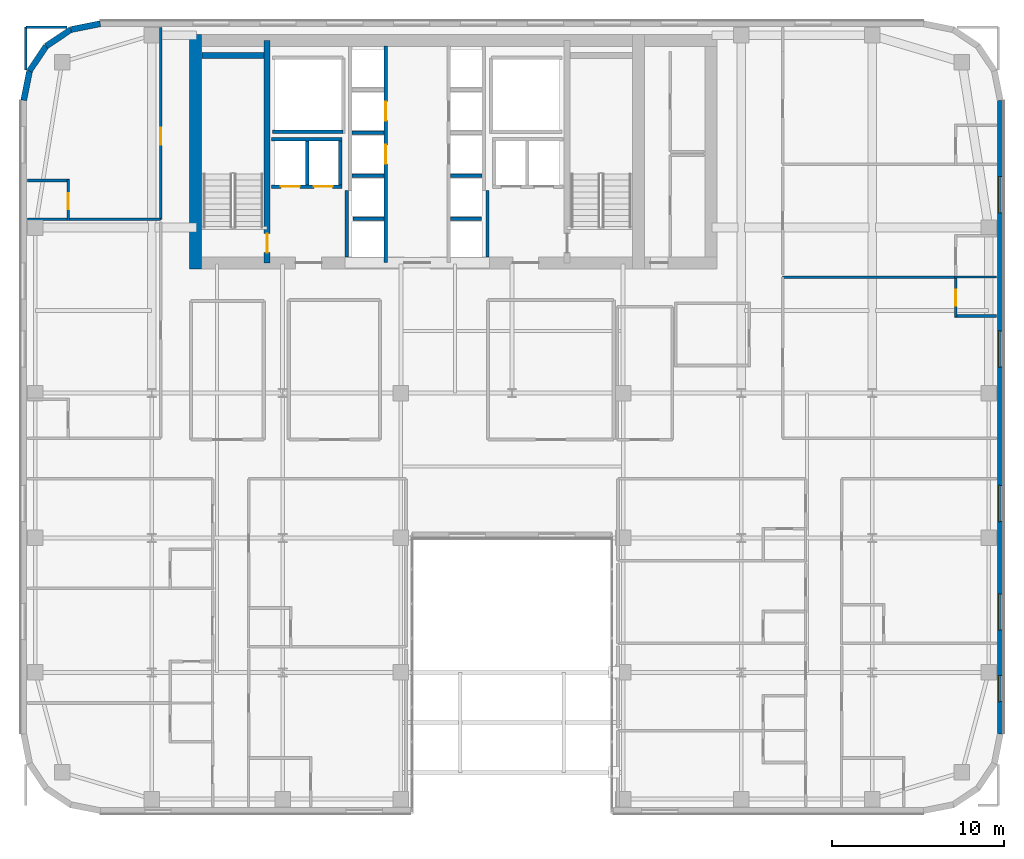
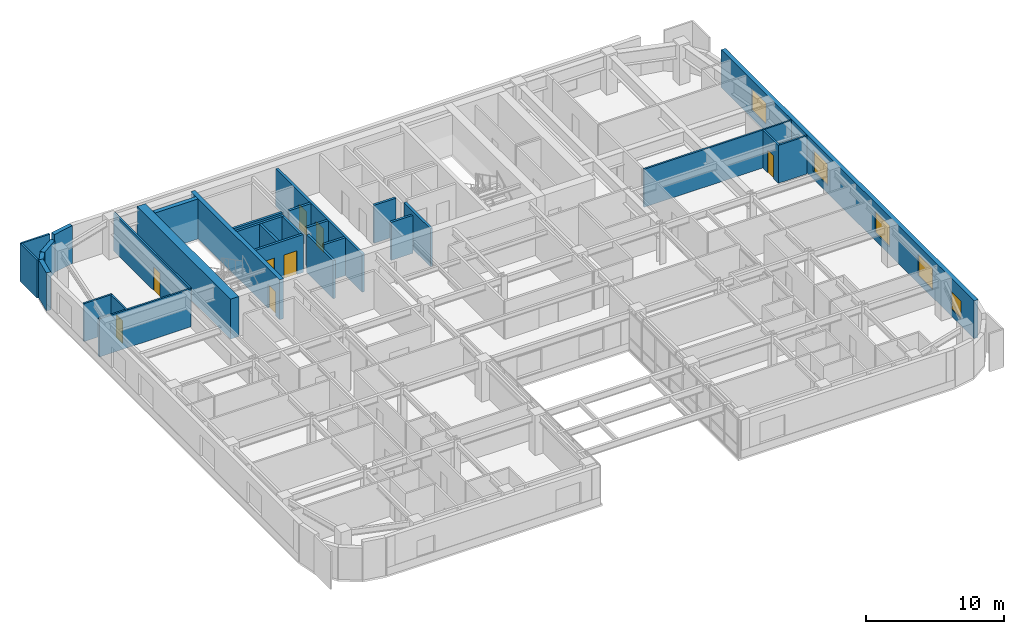
# One storey, part 17 of 24: 31 walls, 8 doors, 5 windows, 13 openings.
"""IFC4 building model written with IfcOpenShell, lengths in metres."""

import ifcopenshell
import ifcopenshell.guid

model = None  # the IFC model being written
_history = None  # IfcOwnerHistory: only IFC2X3 demands one
_inside = {}  # id of a spatial element -> (the spatial element, [elements in it])
_under = {}  # id of a project, library or spatial element -> (it, [spatial elements below it])
_declared = {}  # id of a project -> (the project, [libraries it declares])
_typed = {}  # id of a type object -> (the type object, [elements of that type])
_made_of = {}  # id of a material, layer set ... -> (it, [elements and type objects made of it])


def new_model(schema):
    """Start an empty IFC model of exactly this schema.

    Asked for "IFC4X3", IfcOpenShell would pick the latest addendum, in which some entities
    have other attributes; the version numbers below select the first issue.
    IFC2X3 requires an IfcOwnerHistory on every rooted entity: one is made here for all.
    """
    global model, _history
    if schema == "IFC4X3":
        model = ifcopenshell.file(schema_version=(4, 3, 0, 0))
    else:
        model = ifcopenshell.file(schema=schema)
    _inside.clear()
    _under.clear()
    _declared.clear()
    _typed.clear()
    _made_of.clear()
    _history = None
    if model.schema == "IFC2X3":
        org = make("IfcOrganization", Name="unknown")
        user = make(
            "IfcPersonAndOrganization",
            ThePerson=make("IfcPerson", FamilyName="unknown"),
            TheOrganization=org,
        )
        app = make(
            "IfcApplication",
            ApplicationDeveloper=org,
            Version="unknown",
            ApplicationFullName="unknown",
            ApplicationIdentifier="unknown",
        )
        _history = make(
            "IfcOwnerHistory",
            OwningUser=user,
            OwningApplication=app,
            ChangeAction="ADDED",
            CreationDate=0,
        )
    return model


def make(cls, **values):
    """One entity of the class cls with the attributes given. An attribute that is None is left unset."""
    return model.create_entity(
        cls, **{name: value for name, value in values.items() if value is not None}
    )


def rooted(cls, **values):
    """An entity with a GlobalId (a new one), such as an element, a storey or a relation."""
    return make(cls, GlobalId=ifcopenshell.guid.new(), OwnerHistory=_history, **values)


def si_unit(unit_type, name, prefix=None):
    """IfcSIUnit, for example si_unit("LENGTHUNIT", "METRE", prefix="MILLI")."""
    return make("IfcSIUnit", UnitType=unit_type, Prefix=prefix, Name=name)


def assignment(units):
    """IfcUnitAssignment: the units of a project."""
    return None if units is None else make("IfcUnitAssignment", Units=units)


def point(xyz):
    """IfcCartesianPoint."""
    return None if xyz is None else make("IfcCartesianPoint", Coordinates=xyz)


def direction(xyz):
    """IfcDirection."""
    return None if xyz is None else make("IfcDirection", DirectionRatios=xyz)


def frame(location, z_axis=None, x_axis=None):
    """IfcAxis2Placement3D, a coordinate frame: its origin and axes. An axis left out is left unset."""
    return make(
        "IfcAxis2Placement3D",
        Location=point(location),
        Axis=direction(z_axis),
        RefDirection=direction(x_axis),
    )


def frame_2d(location, x_axis=None):
    """IfcAxis2Placement2D, a coordinate frame in the plane: its origin and x axis."""
    return make(
        "IfcAxis2Placement2D", Location=point(location), RefDirection=direction(x_axis)
    )


def origin():
    """The frame at (0, 0, 0) with its axes left unset."""
    return frame((0.0, 0.0, 0.0))


def place(relative_to, where):
    """IfcLocalPlacement: puts the frame where relative to a parent placement (None: the world)."""
    return make(
        "IfcLocalPlacement", PlacementRelTo=relative_to, RelativePlacement=where
    )


def context(
    kind, dimensions, precision=None, world=None, true_north=None, identifier=None
):
    """IfcGeometricRepresentationContext, for example the 3D "Model" context."""
    return make(
        "IfcGeometricRepresentationContext",
        ContextIdentifier=identifier,
        ContextType=kind,
        CoordinateSpaceDimension=dimensions,
        Precision=precision,
        WorldCoordinateSystem=world,
        TrueNorth=true_north,
    )


def subcontext(parent, identifier, kind, view, scale=None):
    """IfcGeometricRepresentationSubContext, for example "Body" below "Model"."""
    return make(
        "IfcGeometricRepresentationSubContext",
        ContextIdentifier=identifier,
        ContextType=kind,
        ParentContext=parent,
        TargetScale=scale,
        TargetView=view,
    )


def project(units=None, contexts=None):
    """IfcProject with its units and contexts."""
    return rooted(
        "IfcProject",
        Name="project",
        RepresentationContexts=contexts,
        UnitsInContext=assignment(units),
    )


def spatial(cls, under=None, at=None, **own):
    """A site, building, storey or space (cls), placed at a placement, below another one or the project."""
    s = rooted(cls, ObjectPlacement=at, **own)
    if under is not None:
        _under.setdefault(under.id(), (under, []))[1].append(s)
    return s


def profile(cls, at=None, kind="AREA", **sizes):
    """A parametric profile (cls). Its sizes go by their IFC names, for example OverallWidth=200.0."""
    return make(cls, ProfileType=kind, Position=at, **sizes)


def rectangle(**sizes):
    """IfcRectangleProfileDef."""
    return profile("IfcRectangleProfileDef", **sizes)


def extrude(swept, where, along, depth):
    """IfcExtrudedAreaSolid: the profile swept, set in the frame where, extruded along a direction by depth."""
    return make(
        "IfcExtrudedAreaSolid",
        SweptArea=swept,
        Position=where,
        ExtrudedDirection=direction(along),
        Depth=depth,
    )


def shape(context_of_items, identifier, shape_type, items):
    """IfcShapeRepresentation: the items that make up one representation, for example the "Body"."""
    return make(
        "IfcShapeRepresentation",
        ContextOfItems=context_of_items,
        RepresentationIdentifier=identifier,
        RepresentationType=shape_type,
        Items=items,
    )


def source(mapping_origin, context_of_items, identifier, shape_type, items):
    """IfcRepresentationMap: a shape defined once, which mapped items show again and again."""
    return make(
        "IfcRepresentationMap",
        MappingOrigin=mapping_origin,
        MappedRepresentation=shape(context_of_items, identifier, shape_type, items),
    )


def transform(
    local_origin,
    x_axis=None,
    y_axis=None,
    z_axis=None,
    scale=None,
    scale2=None,
    scale3=None,
    uniform=True,
):
    """IfcCartesianTransformationOperator3D, or its non-uniform kind. x_axis, y_axis, z_axis: its Axis1, 2, 3."""
    if uniform:
        return make(
            "IfcCartesianTransformationOperator3D",
            Axis1=direction(x_axis),
            Axis2=direction(y_axis),
            LocalOrigin=point(local_origin),
            Scale=scale,
            Axis3=direction(z_axis),
        )
    return make(
        "IfcCartesianTransformationOperator3DnonUniform",
        Axis1=direction(x_axis),
        Axis2=direction(y_axis),
        LocalOrigin=point(local_origin),
        Scale=scale,
        Axis3=direction(z_axis),
        Scale2=scale2,
        Scale3=scale3,
    )


def mapped(mapping_source, mapping_target):
    """IfcMappedItem: shows the shape of a source again, moved by a transform."""
    return make(
        "IfcMappedItem", MappingSource=mapping_source, MappingTarget=mapping_target
    )


def material(Name=None, Category=None):
    """IfcMaterial."""
    return make("IfcMaterial", Name=Name, Category=Category)


def layer(
    of_material, thickness, ventilated=None, Name=None, Category=None, Priority=None
):
    """IfcMaterialLayer: one layer of a wall or slab, of a material (None: an air gap)."""
    return make(
        "IfcMaterialLayer",
        Material=of_material,
        LayerThickness=thickness,
        IsVentilated=ventilated,
        Name=Name,
        Category=Category,
        Priority=Priority,
    )


def layer_set(layers, Name=None):
    """IfcMaterialLayerSet."""
    return make("IfcMaterialLayerSet", MaterialLayers=layers, LayerSetName=Name)


def made_of(thing, what):
    """Note that an element or type object is made of a material, layer set ...; save() writes the relation."""
    if what is not None:
        _made_of.setdefault(what.id(), (what, []))[1].append(thing)
    return thing


def type_object(cls, material=None, **own):
    """A type object (cls), such as IfcWallType, which elements share."""
    return made_of(rooted(cls, **own), material)


def type_shapes(of_type, sources):
    """Give a type object the sources (RepresentationMaps) that its elements show as mapped items."""
    of_type.RepresentationMaps = sources


def element(
    cls,
    number,
    at=None,
    inside=None,
    cuts=None,
    type_object=None,
    material=None,
    context=None,
    identifier="Body",
    shape_type=None,
    held_by="IfcProductDefinitionShape",
    body=None,
    shapes=None,
    **own,
):
    """One element of the class cls, such as IfcWall. Its Tag is "e" and its number.

    at: its placement. inside: the storey or other place that contains it. cuts: it is an
    opening in that element (IfcRelVoidsElement). A single representation is given by context,
    identifier, shape_type and body (its items); several are given by shapes. held_by: the class
    of the entity that holds the representations. save() writes the other relations.
    """
    e = rooted(cls, Tag="e%d" % number, ObjectPlacement=at, **own)
    if body is not None:
        shapes = [shape(context, identifier, shape_type, body)]
    if shapes is not None:
        e.Representation = make(held_by, Representations=shapes)
    if inside is not None:
        _inside.setdefault(inside.id(), (inside, []))[1].append(e)
    if cuts is not None:
        rooted(
            "IfcRelVoidsElement", RelatingBuildingElement=cuts, RelatedOpeningElement=e
        )
    if type_object is not None:
        _typed.setdefault(type_object.id(), (type_object, []))[1].append(e)
    return made_of(e, material)


def fill(opening, filler):
    """IfcRelFillsElement: the door or window that sits in an opening."""
    return rooted(
        "IfcRelFillsElement",
        RelatingOpeningElement=opening,
        RelatedBuildingElement=filler,
    )


def aggregate(whole, parts):
    """IfcRelAggregates: a whole, such as a stair, and the parts it consists of."""
    return rooted("IfcRelAggregates", RelatingObject=whole, RelatedObjects=parts)


def save(model, path):
    """Write the relations noted so far, then the file.

    IfcRelAggregates (storeys below a building ...), IfcRelContainedInSpatialStructure (elements
    in a storey), IfcRelDefinesByType, IfcRelAssociatesMaterial and IfcRelDeclares: one each for
    every whole, place, type object, material and project.
    """
    for whole, parts in _under.values():
        aggregate(whole, parts)
    for where, things in _inside.values():
        rooted(
            "IfcRelContainedInSpatialStructure",
            RelatedElements=things,
            RelatingStructure=where,
        )
    for kind, things in _typed.values():
        rooted("IfcRelDefinesByType", RelatedObjects=things, RelatingType=kind)
    for what, things in _made_of.values():
        rooted("IfcRelAssociatesMaterial", RelatedObjects=things, RelatingMaterial=what)
    for by, libraries in _declared.values():
        rooted("IfcRelDeclares", RelatingContext=by, RelatedDefinitions=libraries)
    model.write(path)


model = new_model("IFC4")

# Units and contexts
model_context = context("Model", 3, precision=1e-05, world=origin(), true_north=direction((0.0, 1.0)))
body_context = subcontext(model_context, "Body", "Model", "MODEL_VIEW")
ifc_project = project(units=[si_unit("LENGTHUNIT", "METRE"), si_unit("AREAUNIT", "SQUARE_METRE"), si_unit("VOLUMEUNIT", "CUBIC_METRE"), si_unit("PLANEANGLEUNIT", "RADIAN"), si_unit("MASSUNIT", "GRAM", prefix="KILO")], contexts=[model_context])

# Site, building, storey
site_placement = place(None, origin())
site = spatial("IfcSite", under=ifc_project, at=site_placement, CompositionType="ELEMENT")
building_placement = place(site_placement, origin())
building = spatial("IfcBuilding", under=site, at=building_placement, Name="Tolvann Quenvar Hotel", CompositionType="ELEMENT")
storey_placement = place(building_placement, frame((0.0, 0.0, 118.64990234375)))
storey = spatial("IfcBuildingStorey", under=building, at=storey_placement, Name="L30", CompositionType="ELEMENT", Elevation=118.64990234375)

# Wall
ifc_material_1 = material(Name="Concrete S65 (65 MPa)", Category="concrete")
ifc_layer_1 = layer(ifc_material_1, 0.699951171875)
ifc_layer_set_1 = layer_set([ifc_layer_1], Name="Concrete S65 (65 MPa)")
wall_type_1 = type_object("IfcWallType", Name="WALL_CORE_700", PredefinedType="SHEAR", material=ifc_layer_set_1)
wall_1_placement = place(storey_placement, frame((10.14990234375, 31.60009765625, 0.0), z_axis=(0.0, 0.0, 1.0), x_axis=(0.0, 1.0, 0.0)))
element("IfcWall", 1, at=wall_1_placement, inside=storey, type_object=wall_type_1, Name="Rear Core W Shear Wall (L30)", PredefinedType="SHEAR", context=body_context, shape_type="SweptSolid", body=[
    extrude(rectangle(XDim=13.599853515625, YDim=0.699951171875, at=frame_2d((6.7998046875, 0.0))), origin(), (0.0, 0.0, 1.0), 3.550048828125),
])

# Wall, opening, door
ifc_layer_2 = layer(ifc_material_1, 0.35009765625)
ifc_layer_set_2 = layer_set([ifc_layer_2], Name="Concrete S65 (65 MPa)")
wall_type_2 = type_object("IfcWallType", Name="WALL_CORE_INT_350", PredefinedType="SHEAR", material=ifc_layer_set_2)
wall_2_placement = place(storey_placement, frame((14.300048828125, 31.949951171875, 0.0), z_axis=(0.0, 0.0, 1.0), x_axis=(0.0, 1.0, 0.0)))
wall_2 = element("IfcWall", 2, at=wall_2_placement, inside=storey, type_object=wall_type_2, Name="Core Internal Web Shear Wall WEB-W (L30)", PredefinedType="SHEAR", context=body_context, shape_type="SweptSolid", body=[
    extrude(rectangle(XDim=12.900146484375, YDim=0.35009765625, at=frame_2d((6.4501953125, 0.0))), origin(), (0.0, 0.0, 1.0), 3.550048828125),
])
opening_1_placement = place(wall_2_placement, frame((0.60009765625, 0.0, 0.0)))
opening_1 = element("IfcOpeningElement", 3, at=opening_1_placement, cuts=wall_2, Name="Opening FD-120", PredefinedType="OPENING", context=body_context, shape_type="SweptSolid", body=[
    extrude(rectangle(XDim=1.10009765625, YDim=2.1201171875, at=frame_2d((0.550048828125, 1.06005859375))), frame((0.0, 0.18505859375, 0.0), z_axis=(0.0, -1.0, 0.0), x_axis=(1.0, 0.0, 0.0)), (0.0, 0.0, 1.0), 0.3701171875),
])
ifc_material_2 = material(Name="Pressed galvanised steel fire-rated door set", Category="steel")
door_type_1 = type_object("IfcDoorType", Name="DOOR_FIRE_STAIR_1100", OperationType="NOTDEFINED", PredefinedType="DOOR", material=ifc_material_2)
shared_shape_1 = source(origin(), body_context, "Body", "SweptSolid", [
    extrude(rectangle(XDim=1.10009765625, YDim=2.1201171875, at=frame_2d((0.550048828125, 1.06005859375))), frame((0.0, 0.02490234375, 0.0), z_axis=(0.0, -1.0, 0.0), x_axis=(1.0, 0.0, 0.0)), (0.0, 0.0, 1.0), 0.050048828125),
])
type_shapes(door_type_1, [shared_shape_1])
door_1_placement = place(opening_1_placement, origin())
door_1 = element("IfcDoor", 4, at=door_1_placement, inside=storey, type_object=door_type_1, Name="Exit Stair ST-C1 Fire Door (L30)", OperationType="SINGLE_SWING_RIGHT", OverallHeight=2.1201171875, OverallWidth=1.10009765625, PredefinedType="DOOR", context=body_context, shape_type="MappedRepresentation", body=[
    mapped(shared_shape_1, transform((0.0, 0.0, 0.0), x_axis=(1.0, 0.0, 0.0), y_axis=(0.0, 1.0, 0.0), z_axis=(0.0, 0.0, 1.0), scale=1.0)),
])
fill(opening_1, door_1)

# Wall
wall_3_placement = place(storey_placement, frame((10.52001953125, 43.97509765625, 0.0), z_axis=(0.0, 0.0, 1.0), x_axis=(1.0, 0.0, 0.0)))
element("IfcWall", 5, at=wall_3_placement, inside=storey, type_object=wall_type_2, Name="Core Stair North Closing Shear Wall STC1-N (L30)", PredefinedType="SHEAR", context=body_context, shape_type="SweptSolid", body=[
    extrude(rectangle(XDim=3.60009765625, YDim=0.35009765625, at=frame_2d((1.800048828125, 0.0))), origin(), (0.0, 0.0, 1.0), 3.550048828125),
])

# Wall, openings, windows
ifc_material_3 = material(Name="Kiln-fired red and buff architectural clay brickwork and terracotta masonry", Category="masonry")
ifc_layer_3 = layer(ifc_material_3, 0.35009765625)
ifc_layer_set_3 = layer_set([ifc_layer_3], Name="Kiln-fired red and buff architectural clay brickwork and terracotta masonry")
wall_type_3 = type_object("IfcWallType", Name="WALL_EXT_BRICK_350", PredefinedType="SOLIDWALL", material=ifc_layer_set_3)
wall_4_placement = place(storey_placement, frame((56.824951171875, 4.6171875, 0.0), z_axis=(0.0, 0.0, 1.0), x_axis=(0.0, 1.0, 0.0)))
wall_4 = element("IfcWall", 6, at=wall_4_placement, inside=storey, type_object=wall_type_3, Name="Exterior Chicago Brick Wall L30-E13", PredefinedType="SOLIDWALL", context=body_context, shape_type="SweptSolid", body=[
    extrude(rectangle(XDim=36.765625, YDim=0.35009765625, at=frame_2d((18.3828125, 0.0))), origin(), (0.0, 0.0, 1.0), 3.3701171875),
])
opening_2_placement = place(wall_4_placement, frame((6.028076171875, 0.0, 0.679931640625)))
opening_2 = element("IfcOpeningElement", 7, at=opening_2_placement, cuts=wall_4, Name="Opening W-02", PredefinedType="OPENING", context=body_context, shape_type="SweptSolid", body=[
    extrude(rectangle(XDim=2.10009765625, YDim=1.89990234375, at=frame_2d((1.050048828125, 0.949951171875))), frame((0.0, 0.18505859375, 0.0), z_axis=(0.0, -1.0, 0.0), x_axis=(1.0, 0.0, 0.0)), (0.0, 0.0, 1.0), 0.3701171875),
])
opening_3_placement = place(wall_4_placement, frame((12.3310546875, 0.0, 0.679931640625)))
opening_3 = element("IfcOpeningElement", 8, at=opening_3_placement, cuts=wall_4, Name="Opening W-02", PredefinedType="OPENING", context=body_context, shape_type="SweptSolid", body=[
    extrude(rectangle(XDim=2.10009765625, YDim=1.89990234375, at=frame_2d((1.050048828125, 0.949951171875))), frame((0.0, 0.18505859375, 0.0), z_axis=(0.0, -1.0, 0.0), x_axis=(1.0, 0.0, 0.0)), (0.0, 0.0, 1.0), 0.3701171875),
])
opening_4_placement = place(wall_4_placement, frame((21.284912109375, 0.0, 0.679931640625)))
opening_4 = element("IfcOpeningElement", 9, at=opening_4_placement, cuts=wall_4, Name="Opening W-02", PredefinedType="OPENING", context=body_context, shape_type="SweptSolid", body=[
    extrude(rectangle(XDim=2.10009765625, YDim=1.89990234375, at=frame_2d((1.050048828125, 0.949951171875))), frame((0.0, 0.18505859375, 0.0), z_axis=(0.0, -1.0, 0.0), x_axis=(1.0, 0.0, 0.0)), (0.0, 0.0, 1.0), 0.3701171875),
])
opening_5_placement = place(wall_4_placement, frame((30.238037109375, 0.0, 0.679931640625)))
opening_5 = element("IfcOpeningElement", 10, at=opening_5_placement, cuts=wall_4, Name="Opening W-02", PredefinedType="OPENING", context=body_context, shape_type="SweptSolid", body=[
    extrude(rectangle(XDim=2.10009765625, YDim=1.89990234375, at=frame_2d((1.050048828125, 0.949951171875))), frame((0.0, 0.18505859375, 0.0), z_axis=(0.0, -1.0, 0.0), x_axis=(1.0, 0.0, 0.0)), (0.0, 0.0, 1.0), 0.3701171875),
])
opening_6_placement = place(wall_4_placement, frame((1.885986328125, 0.0, 0.6201171875)))
opening_6 = element("IfcOpeningElement", 11, at=opening_6_placement, cuts=wall_4, Name="Opening W-08", PredefinedType="OPENING", context=body_context, shape_type="SweptSolid", body=[
    extrude(rectangle(XDim=1.5, YDim=1.550048828125, at=frame_2d((0.75, 0.77490234375))), frame((0.0, 0.18505859375, 0.0), z_axis=(0.0, -1.0, 0.0), x_axis=(1.0, 0.0, 0.0)), (0.0, 0.0, 1.0), 0.3701171875),
])
ifc_material_4 = material(Name="Thermally broken bronze-anodised aluminium frame with double low-E glazing", Category="aluminium")
window_type_1 = type_object("IfcWindowType", Name="WIN_COR_1500x2050", PartitioningType="SINGLE_PANEL", PredefinedType="WINDOW", material=ifc_material_4)
shared_shape_2 = source(origin(), body_context, "Body", "SweptSolid", [
    extrude(rectangle(XDim=1.5, YDim=1.550048828125, at=frame_2d((0.75, 0.77490234375))), frame((0.0, 0.090087890625, 0.0), z_axis=(0.0, -1.0, 0.0), x_axis=(1.0, 0.0, 0.0)), (0.0, 0.0, 1.0), 0.06005859375),
])
type_shapes(window_type_1, [shared_shape_2])
window_1_placement = place(opening_6_placement, origin())
window_1 = element("IfcWindow", 12, at=window_1_placement, inside=storey, type_object=window_type_1, Name="Chicago Window W-08 (EW-L30-E13-WD05)", OverallHeight=1.550048828125, OverallWidth=1.5, PartitioningType="SINGLE_PANEL", PredefinedType="WINDOW", context=body_context, shape_type="MappedRepresentation", body=[
    mapped(shared_shape_2, transform((0.0, 0.0, 0.0), x_axis=(1.0, 0.0, 0.0), y_axis=(0.0, 1.0, 0.0), z_axis=(0.0, 0.0, 1.0), scale=1.0)),
])
fill(opening_6, window_1)
window_type_2 = type_object("IfcWindowType", Name="WIN_CHI_2100x2050", PartitioningType="TRIPLE_PANEL_HORIZONTAL", PredefinedType="WINDOW", material=ifc_material_4)
shared_shape_3 = source(origin(), body_context, "Body", "SweptSolid", [
    extrude(rectangle(XDim=2.10009765625, YDim=1.89990234375, at=frame_2d((1.050048828125, 0.949951171875))), frame((0.0, 0.090087890625, 0.0), z_axis=(0.0, -1.0, 0.0), x_axis=(1.0, 0.0, 0.0)), (0.0, 0.0, 1.0), 0.06005859375),
])
type_shapes(window_type_2, [shared_shape_3])
window_2_placement = place(opening_2_placement, origin())
window_2 = element("IfcWindow", 13, at=window_2_placement, inside=storey, type_object=window_type_2, Name="Chicago Window W-02 (EW-L30-E13-W01)", OverallHeight=1.89990234375, OverallWidth=2.10009765625, PartitioningType="TRIPLE_PANEL_HORIZONTAL", PredefinedType="WINDOW", context=body_context, shape_type="MappedRepresentation", body=[
    mapped(shared_shape_3, transform((0.0, 0.0, 0.0), x_axis=(1.0, 0.0, 0.0), y_axis=(0.0, 1.0, 0.0), z_axis=(0.0, 0.0, 1.0), scale=1.0)),
])
fill(opening_2, window_2)
window_3_placement = place(opening_3_placement, origin())
window_3 = element("IfcWindow", 14, at=window_3_placement, inside=storey, type_object=window_type_2, Name="Chicago Window W-02 (EW-L30-E13-W02)", OverallHeight=1.89990234375, OverallWidth=2.10009765625, PartitioningType="TRIPLE_PANEL_HORIZONTAL", PredefinedType="WINDOW", context=body_context, shape_type="MappedRepresentation", body=[
    mapped(shared_shape_3, transform((0.0, 0.0, 0.0), x_axis=(1.0, 0.0, 0.0), y_axis=(0.0, 1.0, 0.0), z_axis=(0.0, 0.0, 1.0), scale=1.0)),
])
fill(opening_3, window_3)
window_4_placement = place(opening_4_placement, origin())
window_4 = element("IfcWindow", 15, at=window_4_placement, inside=storey, type_object=window_type_2, Name="Chicago Window W-02 (EW-L30-E13-W03)", OverallHeight=1.89990234375, OverallWidth=2.10009765625, PartitioningType="TRIPLE_PANEL_HORIZONTAL", PredefinedType="WINDOW", context=body_context, shape_type="MappedRepresentation", body=[
    mapped(shared_shape_3, transform((0.0, 0.0, 0.0), x_axis=(1.0, 0.0, 0.0), y_axis=(0.0, 1.0, 0.0), z_axis=(0.0, 0.0, 1.0), scale=1.0)),
])
fill(opening_4, window_4)
window_5_placement = place(opening_5_placement, origin())
window_5 = element("IfcWindow", 16, at=window_5_placement, inside=storey, type_object=window_type_2, Name="Chicago Window W-02 (EW-L30-E13-W04)", OverallHeight=1.89990234375, OverallWidth=2.10009765625, PartitioningType="TRIPLE_PANEL_HORIZONTAL", PredefinedType="WINDOW", context=body_context, shape_type="MappedRepresentation", body=[
    mapped(shared_shape_3, transform((0.0, 0.0, 0.0), x_axis=(1.0, 0.0, 0.0), y_axis=(0.0, 1.0, 0.0), z_axis=(0.0, 0.0, 1.0), scale=1.0)),
])
fill(opening_5, window_5)

# Walls
wall_5_placement = place(storey_placement, frame((4.6171875, 45.824951171875, 0.0), z_axis=(0.0, 0.0, 1.0), x_axis=(-0.980800971659, -0.195011420161, 0.0)))
element("IfcWall", 17, at=wall_5_placement, inside=storey, type_object=wall_type_3, Name="Exterior Chicago Brick Wall L30-E19", PredefinedType="SOLIDWALL", context=body_context, shape_type="SweptSolid", body=[
    extrude(rectangle(XDim=1.74267578125, YDim=0.35009765625, at=frame_2d((0.871337890625, 0.0))), origin(), (0.0, 0.0, 1.0), 3.3701171875),
])
for number, where, z_axis, x_axis, name in (
    (18, (2.907958984375, 45.485107421875, 0.0), (0.0, 0.0, 1.0), (-0.831483840845, -0.55554893791, 0.0), "Exterior Chicago Brick Wall L30-E20"),
    (19, (1.473388671875, 44.526611328125, 0.0), (0.0, 0.0, 1.0), (-0.55554893791, -0.831483840845, 0.0), "Exterior Chicago Brick Wall L30-E21"),
):
    element("IfcWall", number, at=place(storey_placement, frame(where, z_axis=z_axis, x_axis=x_axis)), inside=storey, type_object=wall_type_3, Name=name, PredefinedType="SOLIDWALL", context=body_context, shape_type="SweptSolid", body=[
        extrude(rectangle(XDim=1.725341796875, YDim=0.35009765625, at=frame_2d((0.86279296875, 0.0))), origin(), (0.0, 0.0, 1.0), 2.83203125),
    ])
wall_6_placement = place(storey_placement, frame((0.514892578125, 43.092041015625, 0.0), z_axis=(0.0, 0.0, 1.0), x_axis=(-0.195011420161, -0.980800971659, 0.0)))
element("IfcWall", 20, at=wall_6_placement, inside=storey, type_object=wall_type_3, Name="Exterior Chicago Brick Wall L30-E22", PredefinedType="SOLIDWALL", context=body_context, shape_type="SweptSolid", body=[
    extrude(rectangle(XDim=1.74267578125, YDim=0.35009765625, at=frame_2d((0.871337890625, 0.0))), origin(), (0.0, 0.0, 1.0), 3.3701171875),
])
ifc_material_5 = material(Name="Moisture-resistant acoustic plumbing wall assembly")
ifc_layer_4 = layer(ifc_material_5, 0.1201171875)
ifc_layer_set_4 = layer_set([ifc_layer_4], Name="Moisture-resistant acoustic plumbing wall assembly")
wall_type_4 = type_object("IfcWallType", Name="WALL_PART_BATH_120", PredefinedType="PLUMBINGWALL", material=ifc_layer_set_4)
wall_7_placement = place(storey_placement, frame((54.179931640625, 31.1201171875, 0.0), z_axis=(0.0, 0.0, 1.0), x_axis=(1.0, 0.0, 0.0)))
element("IfcWall", 21, at=wall_7_placement, inside=storey, type_object=wall_type_4, Name="Non-Rated Plumbing Partition PT-SPC-L30-ENS-NE01-N", PredefinedType="PLUMBINGWALL", context=body_context, shape_type="SweptSolid", body=[
    extrude(rectangle(XDim=2.4150390625, YDim=0.1201171875, at=frame_2d((1.20751953125, 0.0))), origin(), (0.0, 0.0, 1.0), 3.3701171875),
])

# Wall, opening, door
ifc_material_6 = material(Name="Acoustic twin-stud fire-rated gypsum plasterboard partition")
ifc_layer_5 = layer(ifc_material_6, 0.14990234375)
ifc_layer_set_5 = layer_set([ifc_layer_5], Name="Acoustic twin-stud fire-rated gypsum plasterboard partition")
wall_type_5 = type_object("IfcWallType", Name="WALL_PART_SUITE_150", PredefinedType="PARTITIONING", material=ifc_layer_set_5)
wall_8_placement = place(storey_placement, frame((2.75, 34.409912109375, 0.0), z_axis=(0.0, 0.0, 1.0), x_axis=(0.0, 1.0, 0.0)))
wall_8 = element("IfcWall", 22, at=wall_8_placement, inside=storey, type_object=wall_type_5, Name="Interior Partition PT-SPC-L30-ENS-NW02-ENT", PredefinedType="PARTITIONING", context=body_context, shape_type="SweptSolid", body=[
    extrude(rectangle(XDim=2.39013671875, YDim=0.14990234375, at=frame_2d((1.195068359375, 0.0))), origin(), (0.0, 0.0, 1.0), 3.3701171875),
])
opening_7_placement = place(wall_8_placement, frame((0.6650390625, 0.0, 0.0)))
opening_7 = element("IfcOpeningElement", 23, at=opening_7_placement, cuts=wall_8, Name="Opening WD-01", PredefinedType="OPENING", context=body_context, shape_type="SweptSolid", body=[
    extrude(rectangle(XDim=0.919921875, YDim=2.010009765625, at=frame_2d((0.4599609375, 1.0048828125))), frame((0.0, 0.0849609375, 0.0), z_axis=(0.0, -1.0, 0.0), x_axis=(1.0, 0.0, 0.0)), (0.0, 0.0, 1.0), 0.169921875),
])
ifc_material_7 = material(Name="Solid-core American oak acoustic fire door leaf in steel frame", Category="steel")
door_type_2 = type_object("IfcDoorType", Name="DOOR_WC_920", OperationType="NOTDEFINED", PredefinedType="DOOR", material=ifc_material_7)
shared_shape_4 = source(origin(), body_context, "Body", "SweptSolid", [
    extrude(rectangle(XDim=0.919921875, YDim=2.010009765625, at=frame_2d((0.4599609375, 1.0048828125))), frame((0.0, 0.02490234375, 0.0), z_axis=(0.0, -1.0, 0.0), x_axis=(1.0, 0.0, 0.0)), (0.0, 0.0, 1.0), 0.050048828125),
])
type_shapes(door_type_2, [shared_shape_4])
door_2_placement = place(opening_7_placement, origin())
door_2 = element("IfcDoor", 24, at=door_2_placement, inside=storey, type_object=door_type_2, Name="Interior Door DOOR-SPC-L30-ENS-NW02", OperationType="SINGLE_SWING_RIGHT", OverallHeight=2.010009765625, OverallWidth=0.919921875, PredefinedType="DOOR", context=body_context, shape_type="MappedRepresentation", body=[
    mapped(shared_shape_4, transform((0.0, 0.0, 0.0), x_axis=(1.0, 0.0, 0.0), y_axis=(0.0, 1.0, 0.0), z_axis=(0.0, 0.0, 1.0), scale=1.0)),
])
fill(opening_7, door_2)

# Walls
wall_9_placement = place(storey_placement, frame((0.405029296875, 34.47998046875, 0.0), z_axis=(0.0, 0.0, 1.0), x_axis=(1.0, 0.0, 0.0)))
element("IfcWall", 25, at=wall_9_placement, inside=storey, type_object=wall_type_5, Name="Interior Partition PT-SPC-L30-ENS-NW02-S", PredefinedType="PARTITIONING", context=body_context, shape_type="SweptSolid", body=[
    extrude(rectangle(XDim=7.715087890625, YDim=0.14990234375, at=frame_2d((3.857421875, 0.0))), origin(), (0.0, 0.0, 1.0), 3.3701171875),
])
wall_10_placement = place(storey_placement, frame((0.405029296875, 36.72998046875, 0.0), z_axis=(0.0, 0.0, 1.0), x_axis=(1.0, 0.0, 0.0)))
element("IfcWall", 26, at=wall_10_placement, inside=storey, type_object=wall_type_5, Name="Interior Partition PT-SPC-L30-ENS-NW02-N", PredefinedType="PARTITIONING", context=body_context, shape_type="SweptSolid", body=[
    extrude(rectangle(XDim=2.4150390625, YDim=0.14990234375, at=frame_2d((1.20751953125, 0.0))), origin(), (0.0, 0.0, 1.0), 3.3701171875),
])

# Wall, opening, door
wall_11_placement = place(storey_placement, frame((54.25, 28.800048828125, 0.0), z_axis=(0.0, 0.0, 1.0), x_axis=(0.0, 1.0, 0.0)))
wall_11 = element("IfcWall", 27, at=wall_11_placement, inside=storey, type_object=wall_type_5, Name="Interior Partition PT-SPC-L30-ENS-NE01-ENT", PredefinedType="PARTITIONING", context=body_context, shape_type="SweptSolid", body=[
    extrude(rectangle(XDim=2.389892578125, YDim=0.14990234375, at=frame_2d((1.19482421875, 0.0))), origin(), (0.0, 0.0, 1.0), 3.3701171875),
])
opening_8_placement = place(wall_11_placement, frame((0.6650390625, 0.0, 0.0)))
opening_8 = element("IfcOpeningElement", 28, at=opening_8_placement, cuts=wall_11, Name="Opening WD-01", PredefinedType="OPENING", context=body_context, shape_type="SweptSolid", body=[
    extrude(rectangle(XDim=0.919921875, YDim=2.010009765625, at=frame_2d((0.4599609375, 1.0048828125))), frame((0.0, 0.0849609375, 0.0), z_axis=(0.0, -1.0, 0.0), x_axis=(1.0, 0.0, 0.0)), (0.0, 0.0, 1.0), 0.169921875),
])
door_3_placement = place(opening_8_placement, origin())
door_3 = element("IfcDoor", 29, at=door_3_placement, inside=storey, type_object=door_type_2, Name="Interior Door DOOR-SPC-L30-ENS-NE01", OperationType="SINGLE_SWING_LEFT", OverallHeight=2.010009765625, OverallWidth=0.919921875, PredefinedType="DOOR", context=body_context, shape_type="MappedRepresentation", body=[
    mapped(shared_shape_4, transform((0.0, 0.0, 0.0), x_axis=(1.0, 0.0, 0.0), y_axis=(0.0, 1.0, 0.0), z_axis=(0.0, 0.0, 1.0), scale=1.0)),
])
fill(opening_8, door_3)

# Wall
wall_12_placement = place(storey_placement, frame((54.179931640625, 28.8701171875, 0.0), z_axis=(0.0, 0.0, 1.0), x_axis=(1.0, 0.0, 0.0)))
element("IfcWall", 30, at=wall_12_placement, inside=storey, type_object=wall_type_5, Name="Interior Partition PT-SPC-L30-ENS-NE01-S", PredefinedType="PARTITIONING", context=body_context, shape_type="SweptSolid", body=[
    extrude(rectangle(XDim=2.4150390625, YDim=0.14990234375, at=frame_2d((1.20751953125, 0.0))), origin(), (0.0, 0.0, 1.0), 3.3701171875),
])

# Wall, opening, door
wall_13_placement = place(storey_placement, frame((8.1201171875, 34.47998046875, 0.0), z_axis=(0.0, 0.0, 1.0), x_axis=(0.0, 1.0, 0.0)))
wall_13 = element("IfcWall", 31, at=wall_13_placement, inside=storey, type_object=wall_type_5, Name="Interior Partition PT-SPC-L30-RM-NW02-ENT", PredefinedType="PARTITIONING", context=body_context, shape_type="SweptSolid", body=[
    extrude(rectangle(XDim=11.114990234375, YDim=0.14990234375, at=frame_2d((5.5576171875, 0.0))), origin(), (0.0, 0.0, 1.0), 3.3701171875),
])
opening_9_placement = place(wall_13_placement, frame((4.320068359375, 0.0, 0.0)))
opening_9 = element("IfcOpeningElement", 32, at=opening_9_placement, cuts=wall_13, Name="Opening SD-01", PredefinedType="OPENING", context=body_context, shape_type="SweptSolid", body=[
    extrude(rectangle(XDim=0.97998046875, YDim=2.1201171875, at=frame_2d((0.489990234375, 1.06005859375))), frame((0.0, 0.0849609375, 0.0), z_axis=(0.0, -1.0, 0.0), x_axis=(1.0, 0.0, 0.0)), (0.0, 0.0, 1.0), 0.169921875),
])
door_type_3 = type_object("IfcDoorType", Name="DOOR_SUITE_980", OperationType="NOTDEFINED", PredefinedType="DOOR", material=ifc_material_7)
shared_shape_5 = source(origin(), body_context, "Body", "SweptSolid", [
    extrude(rectangle(XDim=0.97998046875, YDim=2.1201171875, at=frame_2d((0.489990234375, 1.06005859375))), frame((0.0, 0.02490234375, 0.0), z_axis=(0.0, -1.0, 0.0), x_axis=(1.0, 0.0, 0.0)), (0.0, 0.0, 1.0), 0.050048828125),
])
type_shapes(door_type_3, [shared_shape_5])
door_4_placement = place(opening_9_placement, origin())
door_4 = element("IfcDoor", 33, at=door_4_placement, inside=storey, type_object=door_type_3, Name="Interior Door DOOR-SPC-L30-RM-NW02", OperationType="SINGLE_SWING_RIGHT", OverallHeight=2.1201171875, OverallWidth=0.97998046875, PredefinedType="DOOR", context=body_context, shape_type="MappedRepresentation", body=[
    mapped(shared_shape_5, transform((0.0, 0.0, 0.0), x_axis=(1.0, 0.0, 0.0), y_axis=(0.0, 1.0, 0.0), z_axis=(0.0, 0.0, 1.0), scale=1.0)),
])
fill(opening_9, door_4)

# Walls
wall_14_placement = place(storey_placement, frame((0.300048828125, 45.6201171875, 0.0), z_axis=(0.0, 0.0, 1.0), x_axis=(1.0, 0.0, 0.0)))
element("IfcWall", 34, at=wall_14_placement, inside=storey, type_object=wall_type_5, Name="Interior Partition PT-SPC-L30-RM-NW02-E5", PredefinedType="PARTITIONING", context=body_context, shape_type="SweptSolid", body=[
    extrude(rectangle(XDim=2.39599609375, YDim=0.14990234375, at=frame_2d((1.197998046875, 0.0))), origin(), (0.0, 0.0, 1.0), 3.3701171875),
])
wall_15_placement = place(storey_placement, frame((0.300048828125, 43.135009765625, 0.0), z_axis=(0.0, 0.0, 1.0), x_axis=(0.0, 1.0, 0.0)))
element("IfcWall", 35, at=wall_15_placement, inside=storey, type_object=wall_type_5, Name="Interior Partition PT-SPC-L30-RM-NW02-E6", PredefinedType="PARTITIONING", context=body_context, shape_type="SweptSolid", body=[
    extrude(rectangle(XDim=2.485107421875, YDim=0.14990234375, at=frame_2d((1.24267578125, 0.0))), origin(), (0.0, 0.0, 1.0), 3.3701171875),
])
wall_16_placement = place(storey_placement, frame((44.199951171875, 31.1201171875, 0.0), z_axis=(0.0, 0.0, 1.0), x_axis=(1.0, 0.0, 0.0)))
element("IfcWall", 36, at=wall_16_placement, inside=storey, type_object=wall_type_5, Name="Interior Partition PT-SPC-L30-RM-NE01-E5", PredefinedType="PARTITIONING", context=body_context, shape_type="SweptSolid", body=[
    extrude(rectangle(XDim=10.030029296875, YDim=0.14990234375, at=frame_2d((5.01513671875, 0.0))), origin(), (0.0, 0.0, 1.0), 3.3701171875),
])
ifc_material_8 = material(Name="Concrete N40 (40 MPa)", Category="concrete")
ifc_layer_6 = layer(ifc_material_8, 0.199951171875)
ifc_layer_set_6 = layer_set([ifc_layer_6], Name="Concrete N40 (40 MPa)")
wall_type_6 = type_object("IfcWallType", Name="WALL_SHAFT_200", PredefinedType="SOLIDWALL", material=ifc_layer_set_6)
wall_17_placement = place(storey_placement, frame((14.60009765625, 39.550048828125, 0.0), z_axis=(0.0, 0.0, 1.0), x_axis=(1.0, 0.0, 0.0)))
element("IfcWall", 37, at=wall_17_placement, inside=storey, type_object=wall_type_6, Name="Service Riser W Shaft Wall S (L30)", PredefinedType="SOLIDWALL", context=body_context, shape_type="SweptSolid", body=[
    extrude(rectangle(XDim=4.099853515625, YDim=0.199951171875, at=frame_2d((2.0498046875, 0.0))), origin(), (0.0, 0.0, 1.0), 3.3701171875),
])
for number, where, z_axis, x_axis, name in (
    (38, (18.919921875, 32.303955078125, 0.0), (0.0, 0.0, 1.0), (0.0, 1.0, 0.0), "Firefighting Lobby W Inner Fire Wall (L30)"),
    (39, (27.080078125, 32.303955078125, 0.0), (0.0, 0.0, 1.0), (0.0, 1.0, 0.0), "Firefighting Lobby E Inner Fire Wall (L30)"),
):
    element("IfcWall", number, at=place(storey_placement, frame(where, z_axis=z_axis, x_axis=x_axis)), inside=storey, type_object=wall_type_6, Name=name, PredefinedType="SOLIDWALL", context=body_context, shape_type="SweptSolid", body=[
        extrude(rectangle(XDim=3.845947265625, YDim=0.199951171875, at=frame_2d((1.9228515625, 0.0))), origin(), (0.0, 0.0, 1.0), 3.3701171875),
    ])

# Wall, openings, doors
wall_18_placement = place(storey_placement, frame((21.169921875, 31.9599609375, 0.0), z_axis=(0.0, 0.0, 1.0), x_axis=(0.0, 1.0, 0.0)))
wall_18 = element("IfcWall", 40, at=wall_18_placement, inside=storey, type_object=wall_type_6, Name="Lift Bank E21.1C1 Hoistway Front Wall (L30)", PredefinedType="SOLIDWALL", context=body_context, shape_type="SweptSolid", body=[
    extrude(rectangle(XDim=12.580078125, YDim=0.199951171875, at=frame_2d((6.2900390625, 0.0))), origin(), (0.0, 0.0, 1.0), 3.3701171875),
])
opening_10_placement = place(wall_18_placement, frame((5.739990234375, 0.0, 0.0)))
opening_10 = element("IfcOpeningElement", 41, at=opening_10_placement, cuts=wall_18, Name="Opening LD-01", PredefinedType="OPENING", context=body_context, shape_type="SweptSolid", body=[
    extrude(rectangle(XDim=1.10009765625, YDim=2.1201171875, at=frame_2d((0.550048828125, 1.06005859375))), frame((0.0, 0.10986328125, 0.0), z_axis=(0.0, -1.0, 0.0), x_axis=(1.0, 0.0, 0.0)), (0.0, 0.0, 1.0), 0.219970703125),
])
opening_11_placement = place(wall_18_placement, frame((8.239990234375, 0.0, 0.0)))
opening_11 = element("IfcOpeningElement", 42, at=opening_11_placement, cuts=wall_18, Name="Opening LD-01", PredefinedType="OPENING", context=body_context, shape_type="SweptSolid", body=[
    extrude(rectangle(XDim=1.10009765625, YDim=2.1201171875, at=frame_2d((0.550048828125, 1.06005859375))), frame((0.0, 0.10986328125, 0.0), z_axis=(0.0, -1.0, 0.0), x_axis=(1.0, 0.0, 0.0)), (0.0, 0.0, 1.0), 0.219970703125),
])
ifc_material_9 = material(Name="Brushed 316 stainless steel automatic sliding lift landing door", Category="steel")
door_type_4 = type_object("IfcDoorType", Name="DOOR_LIFT_SLIDE_1100", OperationType="NOTDEFINED", PredefinedType="DOOR", material=ifc_material_9)
shared_shape_6 = source(origin(), body_context, "Body", "SweptSolid", [
    extrude(rectangle(XDim=1.10009765625, YDim=2.1201171875, at=frame_2d((0.550048828125, 1.06005859375))), frame((0.0, 0.02490234375, 0.0), z_axis=(0.0, -1.0, 0.0), x_axis=(1.0, 0.0, 0.0)), (0.0, 0.0, 1.0), 0.050048828125),
])
type_shapes(door_type_4, [shared_shape_6])
door_5_placement = place(opening_10_placement, origin())
door_5 = element("IfcDoor", 43, at=door_5_placement, inside=storey, type_object=door_type_4, Name="Lift PM-1 Sliding Landing Door (L30)", OperationType="SLIDING_TO_RIGHT", OverallHeight=2.1201171875, OverallWidth=1.10009765625, PredefinedType="DOOR", context=body_context, shape_type="MappedRepresentation", body=[
    mapped(shared_shape_6, transform((0.0, 0.0, 0.0), x_axis=(1.0, 0.0, 0.0), y_axis=(0.0, 1.0, 0.0), z_axis=(0.0, 0.0, 1.0), scale=1.0)),
])
fill(opening_10, door_5)
door_6_placement = place(opening_11_placement, origin())
door_6 = element("IfcDoor", 44, at=door_6_placement, inside=storey, type_object=door_type_4, Name="Lift PM-2 Sliding Landing Door (L30)", OperationType="SLIDING_TO_LEFT", OverallHeight=2.1201171875, OverallWidth=1.10009765625, PredefinedType="DOOR", context=body_context, shape_type="MappedRepresentation", body=[
    mapped(shared_shape_6, transform((0.0, 0.0, 0.0), x_axis=(1.0, 0.0, 0.0), y_axis=(0.0, 1.0, 0.0), z_axis=(0.0, 0.0, 1.0), scale=1.0)),
])
fill(opening_11, door_6)

# Walls
wall_19_placement = place(storey_placement, frame((19.27001953125, 34.5, 0.0), z_axis=(0.0, 0.0, 1.0), x_axis=(1.0, 0.0, 0.0)))
element("IfcWall", 45, at=wall_19_placement, inside=storey, type_object=wall_type_6, Name="Lift Bank E21.1C1 Divider Wall 1 (L30)", PredefinedType="SOLIDWALL", context=body_context, shape_type="SweptSolid", body=[
    extrude(rectangle(XDim=1.800048828125, YDim=0.199951171875, at=frame_2d((0.89990234375, 0.0))), origin(), (0.0, 0.0, 1.0), 3.3701171875),
])
for number, where, z_axis, x_axis, name in (
    (46, (19.22998046875, 37.0, 0.0), (0.0, 0.0, 1.0), (1.0, 0.0, 0.0), "Lift Bank E21.1C1 Divider Wall 2 (L30)"),
    (47, (19.22998046875, 39.5, 0.0), (0.0, 0.0, 1.0), (1.0, 0.0, 0.0), "Lift Bank E21.1C1 Divider Wall 3 (L30)"),
):
    element("IfcWall", number, at=place(storey_placement, frame(where, z_axis=z_axis, x_axis=x_axis)), inside=storey, type_object=wall_type_6, Name=name, PredefinedType="SOLIDWALL", context=body_context, shape_type="SweptSolid", body=[
        extrude(rectangle(XDim=1.840087890625, YDim=0.199951171875, at=frame_2d((0.919921875, 0.0))), origin(), (0.0, 0.0, 1.0), 3.3701171875),
    ])

# Wall, openings, doors
wall_20_placement = place(storey_placement, frame((14.550048828125, 36.3798828125, 0.0), z_axis=(0.0, 0.0, 1.0), x_axis=(1.0, 0.0, 0.0)))
wall_20 = element("IfcWall", 48, at=wall_20_placement, inside=storey, type_object=wall_type_6, Name="Lift Bank SWC1 Hoistway Front Wall (L30)", PredefinedType="SOLIDWALL", context=body_context, shape_type="SweptSolid", body=[
    extrude(rectangle(XDim=4.074951171875, YDim=0.199951171875, at=frame_2d((2.03759765625, 0.0))), origin(), (0.0, 0.0, 1.0), 3.3701171875),
])
opening_12_placement = place(wall_20_placement, frame((0.550048828125, 0.0, 0.0)))
opening_12 = element("IfcOpeningElement", 49, at=opening_12_placement, cuts=wall_20, Name="Opening LD-01", PredefinedType="OPENING", context=body_context, shape_type="SweptSolid", body=[
    extrude(rectangle(XDim=1.10009765625, YDim=2.1201171875, at=frame_2d((0.550048828125, 1.06005859375))), frame((0.0, 0.10986328125, 0.0), z_axis=(0.0, -1.0, 0.0), x_axis=(1.0, 0.0, 0.0)), (0.0, 0.0, 1.0), 0.219970703125),
])
opening_13_placement = place(wall_20_placement, frame((2.449951171875, 0.0, 0.0)))
opening_13 = element("IfcOpeningElement", 50, at=opening_13_placement, cuts=wall_20, Name="Opening LD-01", PredefinedType="OPENING", context=body_context, shape_type="SweptSolid", body=[
    extrude(rectangle(XDim=1.10009765625, YDim=2.1201171875, at=frame_2d((0.550048828125, 1.06005859375))), frame((0.0, 0.10986328125, 0.0), z_axis=(0.0, -1.0, 0.0), x_axis=(1.0, 0.0, 0.0)), (0.0, 0.0, 1.0), 0.219970703125),
])
door_7_placement = place(opening_12_placement, origin())
door_7 = element("IfcDoor", 51, at=door_7_placement, inside=storey, type_object=door_type_4, Name="Lift FF-1 Sliding Landing Door (L30)", OperationType="SLIDING_TO_LEFT", OverallHeight=2.1201171875, OverallWidth=1.10009765625, PredefinedType="DOOR", context=body_context, shape_type="MappedRepresentation", body=[
    mapped(shared_shape_6, transform((0.0, 0.0, 0.0), x_axis=(1.0, 0.0, 0.0), y_axis=(0.0, 1.0, 0.0), z_axis=(0.0, 0.0, 1.0), scale=1.0)),
])
fill(opening_12, door_7)
door_8_placement = place(opening_13_placement, origin())
door_8 = element("IfcDoor", 52, at=door_8_placement, inside=storey, type_object=door_type_4, Name="Lift SV-1 Sliding Landing Door (L30)", OperationType="SLIDING_TO_RIGHT", OverallHeight=2.1201171875, OverallWidth=1.10009765625, PredefinedType="DOOR", context=body_context, shape_type="MappedRepresentation", body=[
    mapped(shared_shape_6, transform((0.0, 0.0, 0.0), x_axis=(1.0, 0.0, 0.0), y_axis=(0.0, 1.0, 0.0), z_axis=(0.0, 0.0, 1.0), scale=1.0)),
])
fill(opening_13, door_8)

# Walls
wall_21_placement = place(storey_placement, frame((14.550048828125, 39.1201171875, 0.0), z_axis=(0.0, 0.0, 1.0), x_axis=(1.0, 0.0, 0.0)))
element("IfcWall", 53, at=wall_21_placement, inside=storey, type_object=wall_type_6, Name="Lift Bank SWC1 Hoistway Rear Wall (L30)", PredefinedType="SOLIDWALL", context=body_context, shape_type="SweptSolid", body=[
    extrude(rectangle(XDim=4.074951171875, YDim=0.199951171875, at=frame_2d((2.03759765625, 0.0))), origin(), (0.0, 0.0, 1.0), 3.3701171875),
])
for number, where, z_axis, x_axis, name in (
    (54, (18.52490234375, 36.47998046875, 0.0), (0.0, 0.0, 1.0), (0.0, 1.0, 0.0), "Lift Bank SWC1 Hoistway Cheek Wall 2 (L30)"),
    (55, (16.612548828125, 36.47998046875, 0.0), (0.0, 0.0, 1.0), (0.0, 1.0, 0.0), "Lift Bank SWC1 Divider Wall 1 (L30)"),
):
    element("IfcWall", number, at=place(storey_placement, frame(where, z_axis=z_axis, x_axis=x_axis)), inside=storey, type_object=wall_type_6, Name=name, PredefinedType="SOLIDWALL", context=body_context, shape_type="SweptSolid", body=[
        extrude(rectangle(XDim=2.5400390625, YDim=0.199951171875, at=frame_2d((1.27001953125, 0.0))), origin(), (0.0, 0.0, 1.0), 3.3701171875),
    ])
wall_22_placement = place(storey_placement, frame((24.929931640625, 34.5, 0.0), z_axis=(0.0, 0.0, 1.0), x_axis=(1.0, 0.0, 0.0)))
element("IfcWall", 56, at=wall_22_placement, inside=storey, type_object=wall_type_6, Name="Lift Bank W24.9C1 Divider Wall 1 (L30)", PredefinedType="SOLIDWALL", context=body_context, shape_type="SweptSolid", body=[
    extrude(rectangle(XDim=1.800048828125, YDim=0.199951171875, at=frame_2d((0.89990234375, 0.0))), origin(), (0.0, 0.0, 1.0), 3.3701171875),
])
wall_23_placement = place(storey_placement, frame((24.929931640625, 37.0, 0.0), z_axis=(0.0, 0.0, 1.0), x_axis=(1.0, 0.0, 0.0)))
element("IfcWall", 57, at=wall_23_placement, inside=storey, type_object=wall_type_6, Name="Lift Bank W24.9C1 Divider Wall 2 (L30)", PredefinedType="SOLIDWALL", context=body_context, shape_type="SweptSolid", body=[
    extrude(rectangle(XDim=1.840087890625, YDim=0.199951171875, at=frame_2d((0.919921875, 0.0))), origin(), (0.0, 0.0, 1.0), 3.3701171875),
])

save(model, "model.ifc")
